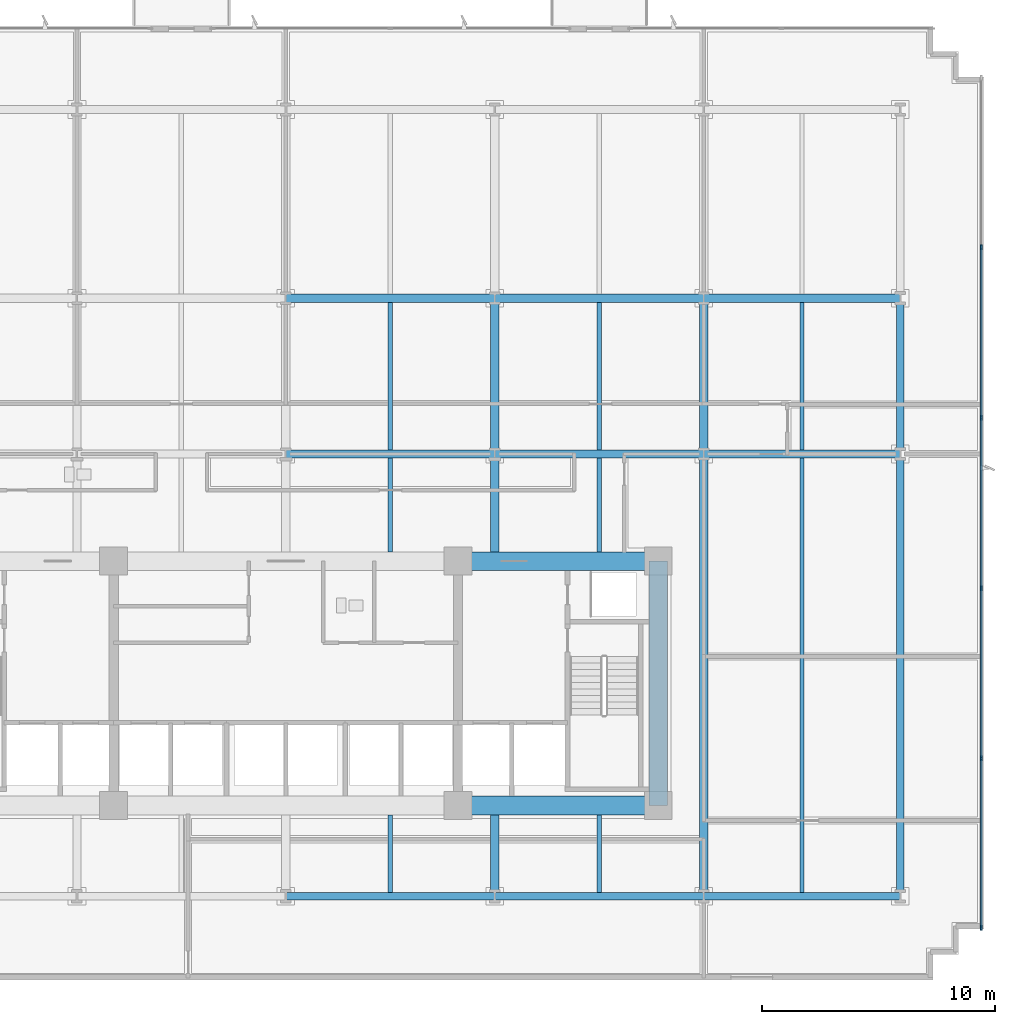
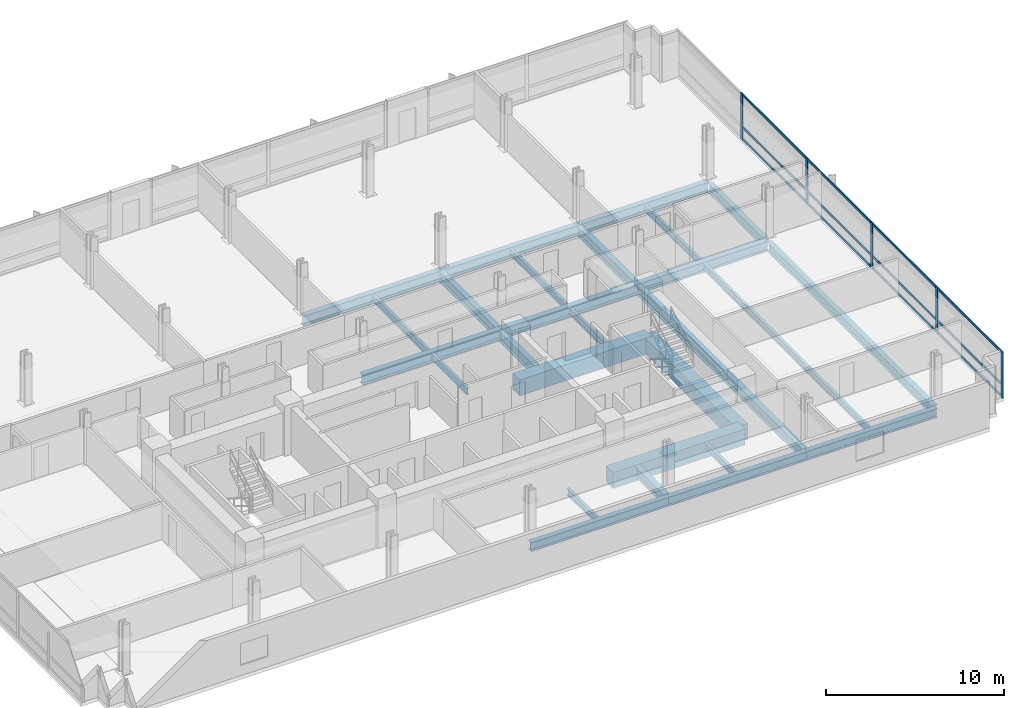
# One storey, part 4 of 14: 27 beams, 17 members, 1 element without a shape of its own.
"""IFC4 building model written with IfcOpenShell, lengths in metres."""

from ifc_helpers import new_model, si_unit, direction, frame, origin, origin_2d, place, context, subcontext, project, spatial, rectangle, i_section, extrude, material, material_profile, profile_set, type_object, element, aggregate, save


model = new_model("IFC4")

# Units and contexts
model_context = context("Model", 3, precision=1e-05, world=origin(), true_north=direction((0.0, 1.0)))
body_context = subcontext(model_context, "Body", "Model", "MODEL_VIEW")
ifc_project = project(units=[si_unit("LENGTHUNIT", "METRE"), si_unit("AREAUNIT", "SQUARE_METRE"), si_unit("VOLUMEUNIT", "CUBIC_METRE"), si_unit("PLANEANGLEUNIT", "RADIAN"), si_unit("MASSUNIT", "GRAM", prefix="KILO")], contexts=[model_context])

# Site, building, storey
site_placement = place(None, origin())
site = spatial("IfcSite", under=ifc_project, at=site_placement, CompositionType="ELEMENT")
building_placement = place(site_placement, origin())
building = spatial("IfcBuilding", under=site, at=building_placement, Name="Solmavex Isthmus Hotel", CompositionType="ELEMENT")
storey_placement = place(building_placement, frame((0.0, 0.0, 50.550048828125)))
storey = spatial("IfcBuildingStorey", under=building, at=storey_placement, Name="L13", CompositionType="ELEMENT", Elevation=50.550048828125)

# Beams
ifc_material_1 = material(Name="Steel ASTM A992 Grade 50", Category="steel")
ifc_material_profile_1 = material_profile(ifc_material_1, i_section(OverallWidth=0.354736328125, OverallDepth=0.695556640625, WebThickness=0.015380859375, FlangeThickness=0.02490234375, FilletRadius=0.017822265625, at=origin_2d()), Name="W27X146")
ifc_profile_set_1 = profile_set([ifc_material_profile_1], Name="Steel ASTM A992 Grade 50")
beam_type_1 = type_object("IfcBeamType", Name="BM-BG-W27X146", PredefinedType="BEAM", material=ifc_profile_set_1)
beam_1_placement = place(storey_placement, frame((0.0, 2.10009765625, -0.60791015625), z_axis=(1.0, 0.0, 0.0), x_axis=(0.0, 1.0, 0.0)))
element("IfcBeam", 1, at=beam_1_placement, inside=storey, type_object=beam_type_1, Name="Floor Girder L13-UG10", PredefinedType="BEAM", context=body_context, shape_type="SweptSolid", body=[
    extrude(i_section(OverallWidth=0.354736328125, OverallDepth=0.695556640625, WebThickness=0.015380859375, FlangeThickness=0.02490234375, FilletRadius=0.017822265625, at=origin_2d()), origin(), (0.0, 0.0, 1.0), 8.97607421875),
])
beam_2_placement = place(storey_placement, frame((8.97607421875, 2.10009765625, -0.60791015625), z_axis=(1.0, 0.0, 0.0), x_axis=(0.0, 1.0, 0.0)))
element("IfcBeam", 2, at=beam_2_placement, inside=storey, type_object=beam_type_1, Name="Floor Girder L13-UG11", PredefinedType="BEAM", context=body_context, shape_type="SweptSolid", body=[
    extrude(i_section(OverallWidth=0.354736328125, OverallDepth=0.695556640625, WebThickness=0.015380859375, FlangeThickness=0.02490234375, FilletRadius=0.017822265625, at=origin_2d()), origin(), (0.0, 0.0, 1.0), 8.975830078125),
])
beam_3_placement = place(storey_placement, frame((17.951904296875, 2.10009765625, -0.60791015625), z_axis=(1.0, 0.0, 0.0), x_axis=(0.0, 1.0, 0.0)))
element("IfcBeam", 3, at=beam_3_placement, inside=storey, type_object=beam_type_1, Name="Floor Girder L13-UG12", PredefinedType="BEAM", context=body_context, shape_type="SweptSolid", body=[
    extrude(i_section(OverallWidth=0.354736328125, OverallDepth=0.695556640625, WebThickness=0.015380859375, FlangeThickness=0.02490234375, FilletRadius=0.017822265625, at=origin_2d()), origin(), (0.0, 0.0, 1.0), 8.447998046875),
])
beam_4_placement = place(storey_placement, frame((0.0, 8.7880859375, -0.60791015625), z_axis=(1.0, 0.0, 0.0), x_axis=(0.0, 1.0, 0.0)))
element("IfcBeam", 4, at=beam_4_placement, inside=storey, type_object=beam_type_1, Name="Floor Girder L13-UG16", PredefinedType="BEAM", context=body_context, shape_type="SweptSolid", body=[
    extrude(i_section(OverallWidth=0.354736328125, OverallDepth=0.695556640625, WebThickness=0.015380859375, FlangeThickness=0.02490234375, FilletRadius=0.017822265625, at=origin_2d()), origin(), (0.0, 0.0, 1.0), 8.97607421875),
])
beam_5_placement = place(storey_placement, frame((8.97607421875, 8.7880859375, -0.60791015625), z_axis=(1.0, 0.0, 0.0), x_axis=(0.0, 1.0, 0.0)))
element("IfcBeam", 5, at=beam_5_placement, inside=storey, type_object=beam_type_1, Name="Floor Girder L13-UG17", PredefinedType="BEAM", context=body_context, shape_type="SweptSolid", body=[
    extrude(i_section(OverallWidth=0.354736328125, OverallDepth=0.695556640625, WebThickness=0.015380859375, FlangeThickness=0.02490234375, FilletRadius=0.017822265625, at=origin_2d()), origin(), (0.0, 0.0, 1.0), 8.975830078125),
])
beam_6_placement = place(storey_placement, frame((17.951904296875, 8.7880859375, -0.60791015625), z_axis=(1.0, 0.0, 0.0), x_axis=(0.0, 1.0, 0.0)))
element("IfcBeam", 6, at=beam_6_placement, inside=storey, type_object=beam_type_1, Name="Floor Girder L13-UG18", PredefinedType="BEAM", context=body_context, shape_type="SweptSolid", body=[
    extrude(i_section(OverallWidth=0.354736328125, OverallDepth=0.695556640625, WebThickness=0.015380859375, FlangeThickness=0.02490234375, FilletRadius=0.017822265625, at=origin_2d()), origin(), (0.0, 0.0, 1.0), 8.447998046875),
])
beam_7_placement = place(storey_placement, frame((8.97607421875, -16.73681640625, -0.60791015625), z_axis=(0.0, 1.0, 0.0), x_axis=(-1.0, 0.0, 0.0)))
element("IfcBeam", 7, at=beam_7_placement, inside=storey, type_object=beam_type_1, Name="Floor Beam L13-VG39", PredefinedType="BEAM", context=body_context, shape_type="SweptSolid", body=[
    extrude(i_section(OverallWidth=0.354736328125, OverallDepth=0.695556640625, WebThickness=0.015380859375, FlangeThickness=0.02490234375, FilletRadius=0.017822265625, at=origin_2d()), origin(), (0.0, 0.0, 1.0), 3.3369140625),
])
beam_8_placement = place(storey_placement, frame((8.97607421875, -2.10009765625, -0.60791015625), z_axis=(0.0, 1.0, 0.0), x_axis=(-1.0, 0.0, 0.0)))
element("IfcBeam", 8, at=beam_8_placement, inside=storey, type_object=beam_type_1, Name="Floor Beam L13-VG40", PredefinedType="BEAM", context=body_context, shape_type="SweptSolid", body=[
    extrude(i_section(OverallWidth=0.354736328125, OverallDepth=0.695556640625, WebThickness=0.015380859375, FlangeThickness=0.02490234375, FilletRadius=0.017822265625, at=origin_2d()), origin(), (0.0, 0.0, 1.0), 4.022705078125),
])
beam_9_placement = place(storey_placement, frame((8.97607421875, 2.27734375, -0.60791015625), z_axis=(0.0, 1.0, 0.0), x_axis=(-1.0, 0.0, 0.0)))
element("IfcBeam", 9, at=beam_9_placement, inside=storey, type_object=beam_type_1, Name="Floor Beam L13-VG41", PredefinedType="BEAM", context=body_context, shape_type="SweptSolid", body=[
    extrude(i_section(OverallWidth=0.354736328125, OverallDepth=0.695556640625, WebThickness=0.015380859375, FlangeThickness=0.02490234375, FilletRadius=0.017822265625, at=origin_2d()), origin(), (0.0, 0.0, 1.0), 6.333251953125),
])
beam_10_placement = place(storey_placement, frame((17.951904296875, -16.73681640625, -0.60791015625), z_axis=(0.0, 1.0, 0.0), x_axis=(-1.0, 0.0, 0.0)))
element("IfcBeam", 10, at=beam_10_placement, inside=storey, type_object=beam_type_1, Name="Floor Beam L13-VG43", PredefinedType="BEAM", context=body_context, shape_type="SweptSolid", body=[
    extrude(i_section(OverallWidth=0.354736328125, OverallDepth=0.695556640625, WebThickness=0.015380859375, FlangeThickness=0.02490234375, FilletRadius=0.017822265625, at=origin_2d()), origin(), (0.0, 0.0, 1.0), 18.659423828125),
])
beam_11_placement = place(storey_placement, frame((17.951904296875, 2.27734375, -0.60791015625), z_axis=(0.0, 1.0, 0.0), x_axis=(-1.0, 0.0, 0.0)))
element("IfcBeam", 11, at=beam_11_placement, inside=storey, type_object=beam_type_1, Name="Floor Beam L13-VG44", PredefinedType="BEAM", context=body_context, shape_type="SweptSolid", body=[
    extrude(i_section(OverallWidth=0.354736328125, OverallDepth=0.695556640625, WebThickness=0.015380859375, FlangeThickness=0.02490234375, FilletRadius=0.017822265625, at=origin_2d()), origin(), (0.0, 0.0, 1.0), 6.333251953125),
])
ifc_material_profile_2 = material_profile(ifc_material_1, i_section(OverallWidth=0.1904296875, OverallDepth=0.456787109375, WebThickness=0.009033203125, FlangeThickness=0.014404296875, FilletRadius=0.0126953125, at=origin_2d()), Name="W18X50")
ifc_profile_set_2 = profile_set([ifc_material_profile_2], Name="Steel ASTM A992 Grade 50")
beam_type_2 = type_object("IfcBeamType", Name="BM-BJ-W18X50", PredefinedType="JOIST", material=ifc_profile_set_2)
beam_12_placement = place(storey_placement, frame((4.488037109375, -16.73681640625, -0.488525390625), z_axis=(0.0, 1.0, 0.0), x_axis=(-1.0, 0.0, 0.0)))
element("IfcBeam", 12, at=beam_12_placement, inside=storey, type_object=beam_type_2, Name="Secondary Floor Joist L13-J12", PredefinedType="JOIST", context=body_context, shape_type="SweptSolid", body=[
    extrude(i_section(OverallWidth=0.1904296875, OverallDepth=0.456787109375, WebThickness=0.009033203125, FlangeThickness=0.014404296875, FilletRadius=0.0126953125, at=origin_2d()), origin(), (0.0, 0.0, 1.0), 3.3369140625),
])
beam_13_placement = place(storey_placement, frame((4.488037109375, -2.10009765625, -0.488525390625), z_axis=(0.0, 1.0, 0.0), x_axis=(-1.0, 0.0, 0.0)))
element("IfcBeam", 13, at=beam_13_placement, inside=storey, type_object=beam_type_2, Name="Secondary Floor Joist L13-J13", PredefinedType="JOIST", context=body_context, shape_type="SweptSolid", body=[
    extrude(i_section(OverallWidth=0.1904296875, OverallDepth=0.456787109375, WebThickness=0.009033203125, FlangeThickness=0.014404296875, FilletRadius=0.0126953125, at=origin_2d()), origin(), (0.0, 0.0, 1.0), 4.022705078125),
])
beam_14_placement = place(storey_placement, frame((4.488037109375, 2.27734375, -0.488525390625), z_axis=(0.0, 1.0, 0.0), x_axis=(-1.0, 0.0, 0.0)))
element("IfcBeam", 14, at=beam_14_placement, inside=storey, type_object=beam_type_2, Name="Secondary Floor Joist L13-J14", PredefinedType="JOIST", context=body_context, shape_type="SweptSolid", body=[
    extrude(i_section(OverallWidth=0.1904296875, OverallDepth=0.456787109375, WebThickness=0.009033203125, FlangeThickness=0.014404296875, FilletRadius=0.0126953125, at=origin_2d()), origin(), (0.0, 0.0, 1.0), 6.333251953125),
])
beam_15_placement = place(storey_placement, frame((13.464111328125, -16.73681640625, -0.488525390625), z_axis=(0.0, 1.0, 0.0), x_axis=(-1.0, 0.0, 0.0)))
element("IfcBeam", 15, at=beam_15_placement, inside=storey, type_object=beam_type_2, Name="Secondary Floor Joist L13-J16", PredefinedType="JOIST", context=body_context, shape_type="SweptSolid", body=[
    extrude(i_section(OverallWidth=0.1904296875, OverallDepth=0.456787109375, WebThickness=0.009033203125, FlangeThickness=0.014404296875, FilletRadius=0.0126953125, at=origin_2d()), origin(), (0.0, 0.0, 1.0), 3.3369140625),
])
beam_16_placement = place(storey_placement, frame((13.464111328125, -2.10009765625, -0.488525390625), z_axis=(0.0, 1.0, 0.0), x_axis=(-1.0, 0.0, 0.0)))
element("IfcBeam", 16, at=beam_16_placement, inside=storey, type_object=beam_type_2, Name="Secondary Floor Joist L13-J17", PredefinedType="JOIST", context=body_context, shape_type="SweptSolid", body=[
    extrude(i_section(OverallWidth=0.1904296875, OverallDepth=0.456787109375, WebThickness=0.009033203125, FlangeThickness=0.014404296875, FilletRadius=0.0126953125, at=origin_2d()), origin(), (0.0, 0.0, 1.0), 4.022705078125),
])
beam_17_placement = place(storey_placement, frame((13.464111328125, 2.27734375, -0.488525390625), z_axis=(0.0, 1.0, 0.0), x_axis=(-1.0, 0.0, 0.0)))
element("IfcBeam", 17, at=beam_17_placement, inside=storey, type_object=beam_type_2, Name="Secondary Floor Joist L13-J18", PredefinedType="JOIST", context=body_context, shape_type="SweptSolid", body=[
    extrude(i_section(OverallWidth=0.1904296875, OverallDepth=0.456787109375, WebThickness=0.009033203125, FlangeThickness=0.014404296875, FilletRadius=0.0126953125, at=origin_2d()), origin(), (0.0, 0.0, 1.0), 6.333251953125),
])
beam_18_placement = place(storey_placement, frame((22.176025390625, -16.73681640625, -0.488525390625), z_axis=(0.0, 1.0, 0.0), x_axis=(-1.0, 0.0, 0.0)))
element("IfcBeam", 18, at=beam_18_placement, inside=storey, type_object=beam_type_2, Name="Secondary Floor Joist L13-J20", PredefinedType="JOIST", context=body_context, shape_type="SweptSolid", body=[
    extrude(i_section(OverallWidth=0.1904296875, OverallDepth=0.456787109375, WebThickness=0.009033203125, FlangeThickness=0.014404296875, FilletRadius=0.0126953125, at=origin_2d()), origin(), (0.0, 0.0, 1.0), 18.659423828125),
])
beam_19_placement = place(storey_placement, frame((22.176025390625, 2.27734375, -0.488525390625), z_axis=(0.0, 1.0, 0.0), x_axis=(-1.0, 0.0, 0.0)))
element("IfcBeam", 19, at=beam_19_placement, inside=storey, type_object=beam_type_2, Name="Secondary Floor Joist L13-J21", PredefinedType="JOIST", context=body_context, shape_type="SweptSolid", body=[
    extrude(i_section(OverallWidth=0.1904296875, OverallDepth=0.456787109375, WebThickness=0.009033203125, FlangeThickness=0.014404296875, FilletRadius=0.0126953125, at=origin_2d()), origin(), (0.0, 0.0, 1.0), 6.333251953125),
])
ifc_material_2 = material(Name="Concrete C70/85", Category="concrete")
ifc_material_profile_3 = material_profile(ifc_material_2, rectangle(XDim=0.800048828125, YDim=1.10009765625, at=origin_2d()), Name="RC800X1100")
ifc_profile_set_3 = profile_set([ifc_material_profile_3], Name="Concrete C70/85")
beam_type_3 = type_object("IfcBeamType", Name="BM-CB-800X1100", PredefinedType="BEAM", material=ifc_profile_set_3)
for number, where, z_axis, x_axis, name in (
    (20, (7.39990234375, -13.0, -0.81005859375), (1.0, 0.0, 0.0), (0.0, 1.0, 0.0), "Core Coupling Beam L13-CB3"),
    (21, (7.39990234375, -2.5, -0.81005859375), (1.0, 0.0, 0.0), (0.0, 1.0, 0.0), "Core Coupling Beam L13-CB6"),
):
    element("IfcBeam", number, at=place(storey_placement, frame(where, z_axis=z_axis, x_axis=x_axis)), inside=storey, type_object=beam_type_3, Name=name, PredefinedType="BEAM", context=body_context, shape_type="SweptSolid", body=[
        extrude(rectangle(XDim=0.800048828125, YDim=1.10009765625, at=origin_2d()), origin(), (0.0, 0.0, 1.0), 8.60009765625),
    ])
beam_20_placement = place(storey_placement, frame((16.0, -13.0, -0.81005859375), z_axis=(0.0, 1.0, 0.0), x_axis=(-1.0, 0.0, 0.0)))
element("IfcBeam", 22, at=beam_20_placement, inside=storey, type_object=beam_type_3, Name="Core Coupling Beam L13-CB8", PredefinedType="BEAM", context=body_context, shape_type="SweptSolid", body=[
    extrude(rectangle(XDim=0.800048828125, YDim=1.10009765625, at=origin_2d()), origin(), (0.0, 0.0, 1.0), 10.5),
])
ifc_material_profile_4 = material_profile(ifc_material_1, i_section(OverallWidth=0.326416015625, OverallDepth=0.621826171875, WebThickness=0.015380859375, FlangeThickness=0.0244140625, FilletRadius=0.01513671875, at=origin_2d()), Name="W24X131")
ifc_profile_set_4 = profile_set([ifc_material_profile_4], Name="Steel ASTM A992 Grade 50")
beam_type_4 = type_object("IfcBeamType", Name="BM-SP-W24X131", PredefinedType="SPANDREL", material=ifc_profile_set_4)
beam_21_placement = place(storey_placement, frame((0.0, -16.89990234375, -0.571044921875), z_axis=(1.0, 0.0, 0.0), x_axis=(0.0, 1.0, 0.0)))
element("IfcBeam", 23, at=beam_21_placement, inside=storey, type_object=beam_type_4, Name="Floor Girder L13-UG04", PredefinedType="SPANDREL", context=body_context, shape_type="SweptSolid", body=[
    extrude(i_section(OverallWidth=0.326416015625, OverallDepth=0.621826171875, WebThickness=0.015380859375, FlangeThickness=0.0244140625, FilletRadius=0.01513671875, at=origin_2d()), origin(), (0.0, 0.0, 1.0), 8.97607421875),
])
beam_22_placement = place(storey_placement, frame((8.97607421875, -16.89990234375, -0.571044921875), z_axis=(1.0, 0.0, 0.0), x_axis=(0.0, 1.0, 0.0)))
element("IfcBeam", 24, at=beam_22_placement, inside=storey, type_object=beam_type_4, Name="Floor Girder L13-UG05", PredefinedType="SPANDREL", context=body_context, shape_type="SweptSolid", body=[
    extrude(i_section(OverallWidth=0.326416015625, OverallDepth=0.621826171875, WebThickness=0.015380859375, FlangeThickness=0.0244140625, FilletRadius=0.01513671875, at=origin_2d()), origin(), (0.0, 0.0, 1.0), 8.975830078125),
])
beam_23_placement = place(storey_placement, frame((17.951904296875, -16.89990234375, -0.571044921875), z_axis=(1.0, 0.0, 0.0), x_axis=(0.0, 1.0, 0.0)))
element("IfcBeam", 25, at=beam_23_placement, inside=storey, type_object=beam_type_4, Name="Floor Girder L13-UG06", PredefinedType="SPANDREL", context=body_context, shape_type="SweptSolid", body=[
    extrude(i_section(OverallWidth=0.326416015625, OverallDepth=0.621826171875, WebThickness=0.015380859375, FlangeThickness=0.0244140625, FilletRadius=0.01513671875, at=origin_2d()), origin(), (0.0, 0.0, 1.0), 8.447998046875),
])
beam_24_placement = place(storey_placement, frame((26.39990234375, -16.73681640625, -0.571044921875), z_axis=(0.0, 1.0, 0.0), x_axis=(-1.0, 0.0, 0.0)))
element("IfcBeam", 26, at=beam_24_placement, inside=storey, type_object=beam_type_4, Name="Floor Beam L13-VG46", PredefinedType="SPANDREL", context=body_context, shape_type="SweptSolid", body=[
    extrude(i_section(OverallWidth=0.326416015625, OverallDepth=0.621826171875, WebThickness=0.015380859375, FlangeThickness=0.0244140625, FilletRadius=0.01513671875, at=origin_2d()), origin(), (0.0, 0.0, 1.0), 18.659423828125),
])
beam_25_placement = place(storey_placement, frame((26.39990234375, 2.27734375, -0.571044921875), z_axis=(0.0, 1.0, 0.0), x_axis=(-1.0, 0.0, 0.0)))
element("IfcBeam", 27, at=beam_25_placement, inside=storey, type_object=beam_type_4, Name="Floor Beam L13-VG47", PredefinedType="SPANDREL", context=body_context, shape_type="SweptSolid", body=[
    extrude(i_section(OverallWidth=0.326416015625, OverallDepth=0.621826171875, WebThickness=0.015380859375, FlangeThickness=0.0244140625, FilletRadius=0.01513671875, at=origin_2d()), origin(), (0.0, 0.0, 1.0), 6.333251953125),
])

# Curtain wall, members
ifc_material_3 = material(Name="Aluminium alloy 6063-T6", Category="aluminium")
curtain_wall_type = type_object("IfcCurtainWallType", Name="CW-SYS-02", PredefinedType="NOTDEFINED", material=ifc_material_3)
curtain_wall_placement = place(storey_placement, origin())
curtain_wall = element("IfcCurtainWall", 28, at=curtain_wall_placement, inside=storey, type_object=curtain_wall_type, Name="Stick Curtain Wall CWL-L13-E1", PredefinedType="NOTDEFINED")
ifc_material_profile_5 = material_profile(ifc_material_3, rectangle(XDim=0.074951171875, YDim=0.219970703125, at=origin_2d()), Name="CWM-75X220")
ifc_profile_set_5 = profile_set([ifc_material_profile_5], Name="Aluminium alloy 6063-T6")
member_type_1 = type_object("IfcMemberType", Name="CW-SYS-02-MUL", PredefinedType="MULLION", material=ifc_profile_set_5)
member_1_placement = place(storey_placement, frame((29.8798828125, -18.262451171875, 0.0), z_axis=(0.0, 0.0, 1.0), x_axis=(-1.0, 0.0, 0.0)))
member_1 = element("IfcMember", 29, at=member_1_placement, type_object=member_type_1, Name="CW-02 mullion 1", PredefinedType="MULLION", context=body_context, shape_type="SweptSolid", body=[
    extrude(rectangle(XDim=0.074951171875, YDim=0.219970703125, at=origin_2d()), origin(), (0.0, 0.0, 1.0), 3.18994140625),
])
member_2_placement = place(storey_placement, frame((29.8798828125, -10.97998046875, 0.0), z_axis=(0.0, 0.0, 1.0), x_axis=(-1.0, 0.0, 0.0)))
member_2 = element("IfcMember", 30, at=member_2_placement, type_object=member_type_1, Name="CW-02 mullion 2", PredefinedType="MULLION", context=body_context, shape_type="SweptSolid", body=[
    extrude(rectangle(XDim=0.074951171875, YDim=0.219970703125, at=origin_2d()), origin(), (0.0, 0.0, 1.0), 3.18994140625),
])
member_3_placement = place(storey_placement, frame((29.8798828125, -3.659912109375, 0.0), z_axis=(0.0, 0.0, 1.0), x_axis=(-1.0, 0.0, 0.0)))
member_3 = element("IfcMember", 31, at=member_3_placement, type_object=member_type_1, Name="CW-02 mullion 3", PredefinedType="MULLION", context=body_context, shape_type="SweptSolid", body=[
    extrude(rectangle(XDim=0.074951171875, YDim=0.219970703125, at=origin_2d()), origin(), (0.0, 0.0, 1.0), 3.18994140625),
])
member_4_placement = place(storey_placement, frame((29.8798828125, 3.659912109375, 0.0), z_axis=(0.0, 0.0, 1.0), x_axis=(-1.0, 0.0, 0.0)))
member_4 = element("IfcMember", 32, at=member_4_placement, type_object=member_type_1, Name="CW-02 mullion 4", PredefinedType="MULLION", context=body_context, shape_type="SweptSolid", body=[
    extrude(rectangle(XDim=0.074951171875, YDim=0.219970703125, at=origin_2d()), origin(), (0.0, 0.0, 1.0), 3.18994140625),
])
member_5_placement = place(storey_placement, frame((29.8798828125, 10.97998046875, 0.0), z_axis=(0.0, 0.0, 1.0), x_axis=(-1.0, 0.0, 0.0)))
member_5 = element("IfcMember", 33, at=member_5_placement, type_object=member_type_1, Name="CW-02 mullion 5", PredefinedType="MULLION", context=body_context, shape_type="SweptSolid", body=[
    extrude(rectangle(XDim=0.074951171875, YDim=0.219970703125, at=origin_2d()), origin(), (0.0, 0.0, 1.0), 3.18994140625),
])
ifc_material_profile_6 = material_profile(ifc_material_3, rectangle(XDim=0.074951171875, YDim=0.159912109375, at=origin_2d()), Name="CWT-75X160")
ifc_profile_set_6 = profile_set([ifc_material_profile_6], Name="Aluminium alloy 6063-T6")
member_type_2 = type_object("IfcMemberType", Name="CW-SYS-02-TRN", PredefinedType="USERDEFINED", material=ifc_profile_set_6)
member_6_placement = place(storey_placement, frame((29.8798828125, -18.22509765625, 0.079833984375), z_axis=(0.0, 1.0, 0.0), x_axis=(-1.0, 0.0, 0.0)))
member_6 = element("IfcMember", 34, at=member_6_placement, type_object=member_type_2, Name="CW-02 transom 1.1", ObjectType="TRANSOM", PredefinedType="USERDEFINED", context=body_context, shape_type="SweptSolid", body=[
    extrude(rectangle(XDim=0.074951171875, YDim=0.159912109375, at=origin_2d()), origin(), (0.0, 0.0, 1.0), 7.20751953125),
])
member_7_placement = place(storey_placement, frame((29.8798828125, -18.22509765625, 0.89990234375), z_axis=(0.0, 1.0, 0.0), x_axis=(-1.0, 0.0, 0.0)))
member_7 = element("IfcMember", 35, at=member_7_placement, type_object=member_type_2, Name="CW-02 transom 1.2", ObjectType="TRANSOM", PredefinedType="USERDEFINED", context=body_context, shape_type="SweptSolid", body=[
    extrude(rectangle(XDim=0.074951171875, YDim=0.159912109375, at=origin_2d()), origin(), (0.0, 0.0, 1.0), 7.20751953125),
])
member_8_placement = place(storey_placement, frame((29.8798828125, -18.22509765625, 3.10986328125), z_axis=(0.0, 1.0, 0.0), x_axis=(-1.0, 0.0, 0.0)))
member_8 = element("IfcMember", 36, at=member_8_placement, type_object=member_type_2, Name="CW-02 transom 1.3", ObjectType="TRANSOM", PredefinedType="USERDEFINED", context=body_context, shape_type="SweptSolid", body=[
    extrude(rectangle(XDim=0.074951171875, YDim=0.159912109375, at=origin_2d()), origin(), (0.0, 0.0, 1.0), 7.20751953125),
])
member_9_placement = place(storey_placement, frame((29.8798828125, -10.9423828125, 0.079833984375), z_axis=(0.0, 1.0, 0.0), x_axis=(-1.0, 0.0, 0.0)))
member_9 = element("IfcMember", 37, at=member_9_placement, type_object=member_type_2, Name="CW-02 transom 2.1", ObjectType="TRANSOM", PredefinedType="USERDEFINED", context=body_context, shape_type="SweptSolid", body=[
    extrude(rectangle(XDim=0.074951171875, YDim=0.159912109375, at=origin_2d()), origin(), (0.0, 0.0, 1.0), 7.244873046875),
])
member_10_placement = place(storey_placement, frame((29.8798828125, -10.9423828125, 0.89990234375), z_axis=(0.0, 1.0, 0.0), x_axis=(-1.0, 0.0, 0.0)))
member_10 = element("IfcMember", 38, at=member_10_placement, type_object=member_type_2, Name="CW-02 transom 2.2", ObjectType="TRANSOM", PredefinedType="USERDEFINED", context=body_context, shape_type="SweptSolid", body=[
    extrude(rectangle(XDim=0.074951171875, YDim=0.159912109375, at=origin_2d()), origin(), (0.0, 0.0, 1.0), 7.244873046875),
])
member_11_placement = place(storey_placement, frame((29.8798828125, -10.9423828125, 3.10986328125), z_axis=(0.0, 1.0, 0.0), x_axis=(-1.0, 0.0, 0.0)))
member_11 = element("IfcMember", 39, at=member_11_placement, type_object=member_type_2, Name="CW-02 transom 2.3", ObjectType="TRANSOM", PredefinedType="USERDEFINED", context=body_context, shape_type="SweptSolid", body=[
    extrude(rectangle(XDim=0.074951171875, YDim=0.159912109375, at=origin_2d()), origin(), (0.0, 0.0, 1.0), 7.244873046875),
])
member_12_placement = place(storey_placement, frame((29.8798828125, -3.62255859375, 0.079833984375), z_axis=(0.0, 1.0, 0.0), x_axis=(-1.0, 0.0, 0.0)))
member_12 = element("IfcMember", 40, at=member_12_placement, type_object=member_type_2, Name="CW-02 transom 3.1", ObjectType="TRANSOM", PredefinedType="USERDEFINED", context=body_context, shape_type="SweptSolid", body=[
    extrude(rectangle(XDim=0.074951171875, YDim=0.159912109375, at=origin_2d()), origin(), (0.0, 0.0, 1.0), 7.2451171875),
])
member_13_placement = place(storey_placement, frame((29.8798828125, -3.62255859375, 0.89990234375), z_axis=(0.0, 1.0, 0.0), x_axis=(-1.0, 0.0, 0.0)))
member_13 = element("IfcMember", 41, at=member_13_placement, type_object=member_type_2, Name="CW-02 transom 3.2", ObjectType="TRANSOM", PredefinedType="USERDEFINED", context=body_context, shape_type="SweptSolid", body=[
    extrude(rectangle(XDim=0.074951171875, YDim=0.159912109375, at=origin_2d()), origin(), (0.0, 0.0, 1.0), 7.2451171875),
])
member_14_placement = place(storey_placement, frame((29.8798828125, -3.62255859375, 3.10986328125), z_axis=(0.0, 1.0, 0.0), x_axis=(-1.0, 0.0, 0.0)))
member_14 = element("IfcMember", 42, at=member_14_placement, type_object=member_type_2, Name="CW-02 transom 3.3", ObjectType="TRANSOM", PredefinedType="USERDEFINED", context=body_context, shape_type="SweptSolid", body=[
    extrude(rectangle(XDim=0.074951171875, YDim=0.159912109375, at=origin_2d()), origin(), (0.0, 0.0, 1.0), 7.2451171875),
])
member_15_placement = place(storey_placement, frame((29.8798828125, 3.697509765625, 0.079833984375), z_axis=(0.0, 1.0, 0.0), x_axis=(-1.0, 0.0, 0.0)))
member_15 = element("IfcMember", 43, at=member_15_placement, type_object=member_type_2, Name="CW-02 transom 4.1", ObjectType="TRANSOM", PredefinedType="USERDEFINED", context=body_context, shape_type="SweptSolid", body=[
    extrude(rectangle(XDim=0.074951171875, YDim=0.159912109375, at=origin_2d()), origin(), (0.0, 0.0, 1.0), 7.244873046875),
])
member_16_placement = place(storey_placement, frame((29.8798828125, 3.697509765625, 0.89990234375), z_axis=(0.0, 1.0, 0.0), x_axis=(-1.0, 0.0, 0.0)))
member_16 = element("IfcMember", 44, at=member_16_placement, type_object=member_type_2, Name="CW-02 transom 4.2", ObjectType="TRANSOM", PredefinedType="USERDEFINED", context=body_context, shape_type="SweptSolid", body=[
    extrude(rectangle(XDim=0.074951171875, YDim=0.159912109375, at=origin_2d()), origin(), (0.0, 0.0, 1.0), 7.244873046875),
])
member_17_placement = place(storey_placement, frame((29.8798828125, 3.697509765625, 3.10986328125), z_axis=(0.0, 1.0, 0.0), x_axis=(-1.0, 0.0, 0.0)))
member_17 = element("IfcMember", 45, at=member_17_placement, type_object=member_type_2, Name="CW-02 transom 4.3", ObjectType="TRANSOM", PredefinedType="USERDEFINED", context=body_context, shape_type="SweptSolid", body=[
    extrude(rectangle(XDim=0.074951171875, YDim=0.159912109375, at=origin_2d()), origin(), (0.0, 0.0, 1.0), 7.244873046875),
])
aggregate(curtain_wall, [member_1, member_2, member_3, member_4, member_5, member_6, member_7, member_8, member_9, member_10, member_11, member_12, member_13, member_14, member_15, member_16, member_17])

save(model, "model.ifc")
